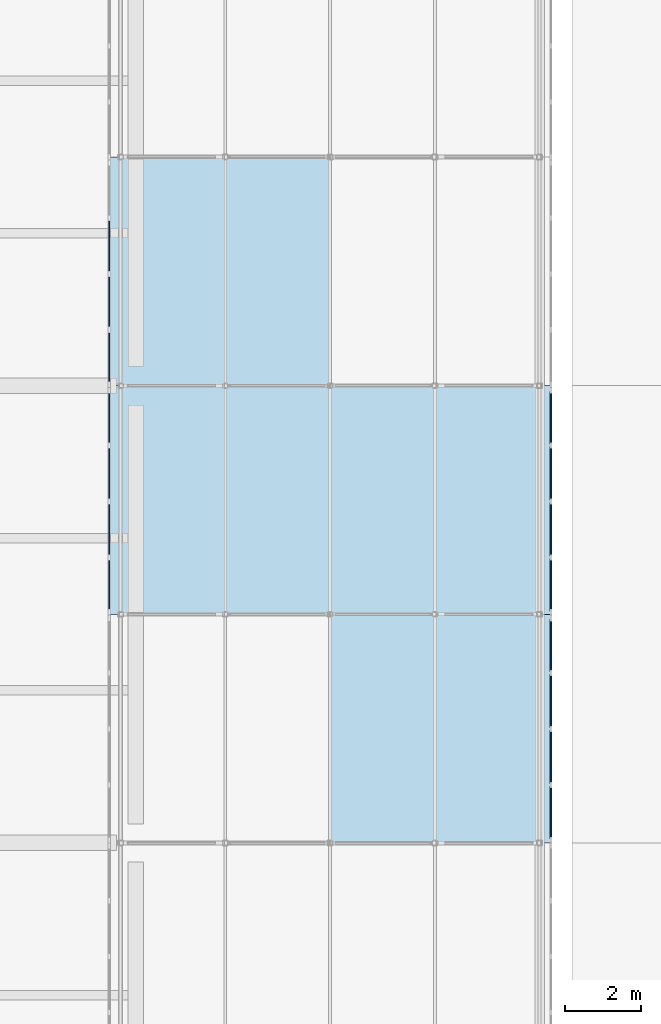
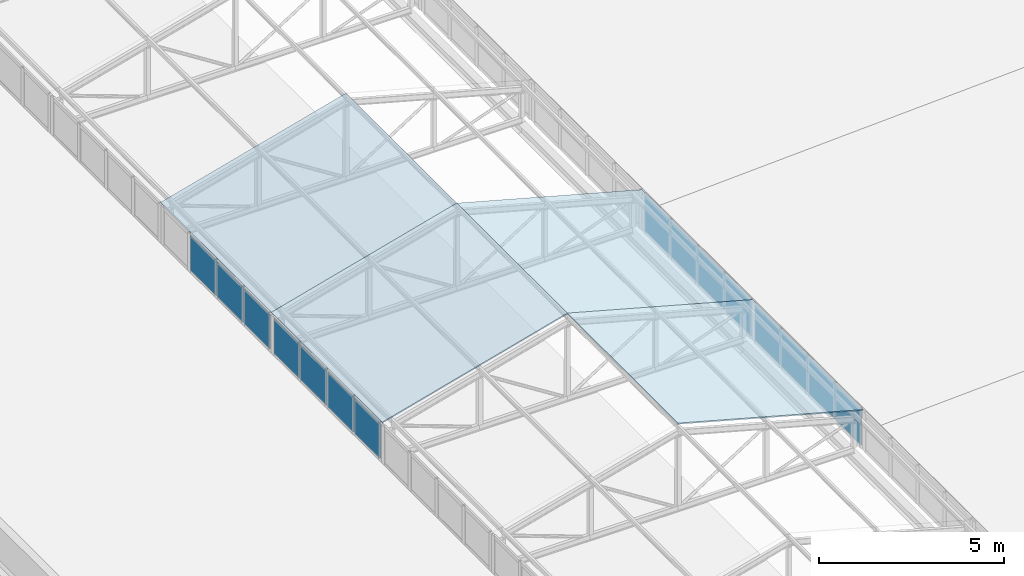
# One storey, part 80 of 94: 15 plates, 4 slabs, 4 elements without a shape of their own.
"""IFC4 building model written with IfcOpenShell, lengths in metres."""

import ifcopenshell
import ifcopenshell.guid

model = None  # the IFC model being written
_history = None  # IfcOwnerHistory: only IFC2X3 demands one
_inside = {}  # id of a spatial element -> (the spatial element, [elements in it])
_under = {}  # id of a project, library or spatial element -> (it, [spatial elements below it])
_declared = {}  # id of a project -> (the project, [libraries it declares])
_typed = {}  # id of a type object -> (the type object, [elements of that type])
_made_of = {}  # id of a material, layer set ... -> (it, [elements and type objects made of it])


def new_model(schema):
    """Start an empty IFC model of exactly this schema.

    Asked for "IFC4X3", IfcOpenShell would pick the latest addendum, in which some entities
    have other attributes; the version numbers below select the first issue.
    IFC2X3 requires an IfcOwnerHistory on every rooted entity: one is made here for all.
    """
    global model, _history
    if schema == "IFC4X3":
        model = ifcopenshell.file(schema_version=(4, 3, 0, 0))
    else:
        model = ifcopenshell.file(schema=schema)
    _inside.clear()
    _under.clear()
    _declared.clear()
    _typed.clear()
    _made_of.clear()
    _history = None
    if model.schema == "IFC2X3":
        org = make("IfcOrganization", Name="unknown")
        user = make(
            "IfcPersonAndOrganization",
            ThePerson=make("IfcPerson", FamilyName="unknown"),
            TheOrganization=org,
        )
        app = make(
            "IfcApplication",
            ApplicationDeveloper=org,
            Version="unknown",
            ApplicationFullName="unknown",
            ApplicationIdentifier="unknown",
        )
        _history = make(
            "IfcOwnerHistory",
            OwningUser=user,
            OwningApplication=app,
            ChangeAction="ADDED",
            CreationDate=0,
        )
    return model


def make(cls, **values):
    """One entity of the class cls with the attributes given. An attribute that is None is left unset."""
    return model.create_entity(
        cls, **{name: value for name, value in values.items() if value is not None}
    )


def rooted(cls, **values):
    """An entity with a GlobalId (a new one), such as an element, a storey or a relation."""
    return make(cls, GlobalId=ifcopenshell.guid.new(), OwnerHistory=_history, **values)


def si_unit(unit_type, name, prefix=None):
    """IfcSIUnit, for example si_unit("LENGTHUNIT", "METRE", prefix="MILLI")."""
    return make("IfcSIUnit", UnitType=unit_type, Prefix=prefix, Name=name)


def assignment(units):
    """IfcUnitAssignment: the units of a project."""
    return None if units is None else make("IfcUnitAssignment", Units=units)


def point(xyz):
    """IfcCartesianPoint."""
    return None if xyz is None else make("IfcCartesianPoint", Coordinates=xyz)


def direction(xyz):
    """IfcDirection."""
    return None if xyz is None else make("IfcDirection", DirectionRatios=xyz)


def frame(location, z_axis=None, x_axis=None):
    """IfcAxis2Placement3D, a coordinate frame: its origin and axes. An axis left out is left unset."""
    return make(
        "IfcAxis2Placement3D",
        Location=point(location),
        Axis=direction(z_axis),
        RefDirection=direction(x_axis),
    )


def frame_2d(location, x_axis=None):
    """IfcAxis2Placement2D, a coordinate frame in the plane: its origin and x axis."""
    return make(
        "IfcAxis2Placement2D", Location=point(location), RefDirection=direction(x_axis)
    )


def origin():
    """The frame at (0, 0, 0) with its axes left unset."""
    return frame((0.0, 0.0, 0.0))


def origin_2d():
    """The frame at (0, 0) in the plane with its x axis left unset."""
    return frame_2d((0.0, 0.0))


def place(relative_to, where):
    """IfcLocalPlacement: puts the frame where relative to a parent placement (None: the world)."""
    return make(
        "IfcLocalPlacement", PlacementRelTo=relative_to, RelativePlacement=where
    )


def context(
    kind, dimensions, precision=None, world=None, true_north=None, identifier=None
):
    """IfcGeometricRepresentationContext, for example the 3D "Model" context."""
    return make(
        "IfcGeometricRepresentationContext",
        ContextIdentifier=identifier,
        ContextType=kind,
        CoordinateSpaceDimension=dimensions,
        Precision=precision,
        WorldCoordinateSystem=world,
        TrueNorth=true_north,
    )


def subcontext(parent, identifier, kind, view, scale=None):
    """IfcGeometricRepresentationSubContext, for example "Body" below "Model"."""
    return make(
        "IfcGeometricRepresentationSubContext",
        ContextIdentifier=identifier,
        ContextType=kind,
        ParentContext=parent,
        TargetScale=scale,
        TargetView=view,
    )


def project(units=None, contexts=None):
    """IfcProject with its units and contexts."""
    return rooted(
        "IfcProject",
        Name="project",
        RepresentationContexts=contexts,
        UnitsInContext=assignment(units),
    )


def spatial(cls, under=None, at=None, **own):
    """A site, building, storey or space (cls), placed at a placement, below another one or the project."""
    s = rooted(cls, ObjectPlacement=at, **own)
    if under is not None:
        _under.setdefault(under.id(), (under, []))[1].append(s)
    return s


def polyline(points):
    """IfcPolyline through the points."""
    return make("IfcPolyline", Points=[point(p) for p in points])


def profile(cls, at=None, kind="AREA", **sizes):
    """A parametric profile (cls). Its sizes go by their IFC names, for example OverallWidth=200.0."""
    return make(cls, ProfileType=kind, Position=at, **sizes)


def rectangle(**sizes):
    """IfcRectangleProfileDef."""
    return profile("IfcRectangleProfileDef", **sizes)


def outline(outer, holes=None, kind="AREA"):
    """IfcArbitraryClosedProfileDef: a profile drawn as a closed curve; with holes, ...WithVoids."""
    if holes is None:
        return make("IfcArbitraryClosedProfileDef", ProfileType=kind, OuterCurve=outer)
    return make(
        "IfcArbitraryProfileDefWithVoids",
        ProfileType=kind,
        OuterCurve=outer,
        InnerCurves=holes,
    )


def extrude(swept, where, along, depth):
    """IfcExtrudedAreaSolid: the profile swept, set in the frame where, extruded along a direction by depth."""
    return make(
        "IfcExtrudedAreaSolid",
        SweptArea=swept,
        Position=where,
        ExtrudedDirection=direction(along),
        Depth=depth,
    )


def shape(context_of_items, identifier, shape_type, items):
    """IfcShapeRepresentation: the items that make up one representation, for example the "Body"."""
    return make(
        "IfcShapeRepresentation",
        ContextOfItems=context_of_items,
        RepresentationIdentifier=identifier,
        RepresentationType=shape_type,
        Items=items,
    )


def material(Name=None, Category=None):
    """IfcMaterial."""
    return make("IfcMaterial", Name=Name, Category=Category)


def layer(
    of_material, thickness, ventilated=None, Name=None, Category=None, Priority=None
):
    """IfcMaterialLayer: one layer of a wall or slab, of a material (None: an air gap)."""
    return make(
        "IfcMaterialLayer",
        Material=of_material,
        LayerThickness=thickness,
        IsVentilated=ventilated,
        Name=Name,
        Category=Category,
        Priority=Priority,
    )


def layer_set(layers, Name=None):
    """IfcMaterialLayerSet."""
    return make("IfcMaterialLayerSet", MaterialLayers=layers, LayerSetName=Name)


def made_of(thing, what):
    """Note that an element or type object is made of a material, layer set ...; save() writes the relation."""
    if what is not None:
        _made_of.setdefault(what.id(), (what, []))[1].append(thing)
    return thing


def type_object(cls, material=None, **own):
    """A type object (cls), such as IfcWallType, which elements share."""
    return made_of(rooted(cls, **own), material)


def element(
    cls,
    number,
    at=None,
    inside=None,
    cuts=None,
    type_object=None,
    material=None,
    context=None,
    identifier="Body",
    shape_type=None,
    held_by="IfcProductDefinitionShape",
    body=None,
    shapes=None,
    **own,
):
    """One element of the class cls, such as IfcWall. Its Tag is "e" and its number.

    at: its placement. inside: the storey or other place that contains it. cuts: it is an
    opening in that element (IfcRelVoidsElement). A single representation is given by context,
    identifier, shape_type and body (its items); several are given by shapes. held_by: the class
    of the entity that holds the representations. save() writes the other relations.
    """
    e = rooted(cls, Tag="e%d" % number, ObjectPlacement=at, **own)
    if body is not None:
        shapes = [shape(context, identifier, shape_type, body)]
    if shapes is not None:
        e.Representation = make(held_by, Representations=shapes)
    if inside is not None:
        _inside.setdefault(inside.id(), (inside, []))[1].append(e)
    if cuts is not None:
        rooted(
            "IfcRelVoidsElement", RelatingBuildingElement=cuts, RelatedOpeningElement=e
        )
    if type_object is not None:
        _typed.setdefault(type_object.id(), (type_object, []))[1].append(e)
    return made_of(e, material)


def aggregate(whole, parts):
    """IfcRelAggregates: a whole, such as a stair, and the parts it consists of."""
    return rooted("IfcRelAggregates", RelatingObject=whole, RelatedObjects=parts)


def save(model, path):
    """Write the relations noted so far, then the file.

    IfcRelAggregates (storeys below a building ...), IfcRelContainedInSpatialStructure (elements
    in a storey), IfcRelDefinesByType, IfcRelAssociatesMaterial and IfcRelDeclares: one each for
    every whole, place, type object, material and project.
    """
    for whole, parts in _under.values():
        aggregate(whole, parts)
    for where, things in _inside.values():
        rooted(
            "IfcRelContainedInSpatialStructure",
            RelatedElements=things,
            RelatingStructure=where,
        )
    for kind, things in _typed.values():
        rooted("IfcRelDefinesByType", RelatedObjects=things, RelatingType=kind)
    for what, things in _made_of.values():
        rooted("IfcRelAssociatesMaterial", RelatedObjects=things, RelatingMaterial=what)
    for by, libraries in _declared.values():
        rooted("IfcRelDeclares", RelatingContext=by, RelatedDefinitions=libraries)
    model.write(path)


model = new_model("IFC4")

# Units and contexts
model_context = context("Model", 3, precision=1e-05, world=origin(), true_north=direction((0.0, 1.0)))
body_context = subcontext(model_context, "Body", "Model", "MODEL_VIEW")
ifc_project = project(units=[si_unit("LENGTHUNIT", "METRE"), si_unit("AREAUNIT", "SQUARE_METRE"), si_unit("VOLUMEUNIT", "CUBIC_METRE"), si_unit("PLANEANGLEUNIT", "RADIAN"), si_unit("MASSUNIT", "GRAM", prefix="KILO")], contexts=[model_context])

# Site, building, storey
site_placement = place(None, origin())
site = spatial("IfcSite", under=ifc_project, at=site_placement, CompositionType="ELEMENT")
building_placement = place(site_placement, origin())
building = spatial("IfcBuilding", under=site, at=building_placement, Name="Lilac Gate Convention Centre", CompositionType="ELEMENT")
storey_placement = place(building_placement, frame((0.0, 0.0, 21.0)))
storey = spatial("IfcBuildingStorey", under=building, at=storey_placement, Name="L04", CompositionType="ELEMENT", Elevation=21.0)

# Curtain wall, plates
ifc_material_1 = material(Name="Aluminium framed double glazing", Category="aluminium")
ifc_layer_1 = layer(ifc_material_1, 0.199951171875)
ifc_layer_set_1 = layer_set([ifc_layer_1], Name="Aluminium framed double glazing")
curtain_wall_type = type_object("IfcCurtainWallType", Name="Unitised curtain wall 1500", PredefinedType="NOTDEFINED", material=ifc_layer_set_1)
curtain_wall_1_placement = place(storey_placement, origin())
curtain_wall_1 = element("IfcCurtainWall", 1, at=curtain_wall_1_placement, inside=storey, type_object=curtain_wall_type, Name="Lantern clerestory W 18", PredefinedType="NOTDEFINED")
ifc_material_2 = material(Name="Double glazed unit low emissivity")
ifc_layer_2 = layer(ifc_material_2, 0.028076171875)
ifc_layer_set_2 = layer_set([ifc_layer_2], Name="Double glazed unit low emissivity")
plate_type = type_object("IfcPlateType", Name="Curtain wall glass panel 28", PredefinedType="CURTAIN_PANEL", material=ifc_layer_set_2)
plate_1_placement = place(storey_placement, frame((17.300048828125, 132.774169921875, 0.06005859375), z_axis=(0.0, 0.0, 1.0), x_axis=(0.0, 1.0, 0.0)))
plate_1 = element("IfcPlate", 2, at=plate_1_placement, type_object=plate_type, Name="CW panel 1.1", PredefinedType="CURTAIN_PANEL", context=body_context, shape_type="SweptSolid", body=[
    extrude(rectangle(XDim=1.378662109375, YDim=0.028076171875, at=origin_2d()), origin(), (0.0, 0.0, 1.0), 1.152099609375),
])
plate_2_placement = place(storey_placement, frame((17.300048828125, 134.22802734375, 0.06005859375), z_axis=(0.0, 0.0, 1.0), x_axis=(0.0, 1.0, 0.0)))
plate_2 = element("IfcPlate", 3, at=plate_2_placement, type_object=plate_type, Name="CW panel 2.1", PredefinedType="CURTAIN_PANEL", context=body_context, shape_type="SweptSolid", body=[
    extrude(rectangle(XDim=1.40869140625, YDim=0.028076171875, at=origin_2d()), origin(), (0.0, 0.0, 1.0), 1.152099609375),
])
plate_3_placement = place(storey_placement, frame((17.300048828125, 135.69677734375, 0.06005859375), z_axis=(0.0, 0.0, 1.0), x_axis=(0.0, 1.0, 0.0)))
plate_3 = element("IfcPlate", 4, at=plate_3_placement, type_object=plate_type, Name="CW panel 3.1", PredefinedType="CURTAIN_PANEL", context=body_context, shape_type="SweptSolid", body=[
    extrude(rectangle(XDim=1.40869140625, YDim=0.028076171875, at=origin_2d()), origin(), (0.0, 0.0, 1.0), 1.152099609375),
])
plate_4_placement = place(storey_placement, frame((17.300048828125, 137.150634765625, 0.06005859375), z_axis=(0.0, 0.0, 1.0), x_axis=(0.0, 1.0, 0.0)))
plate_4 = element("IfcPlate", 5, at=plate_4_placement, type_object=plate_type, Name="CW panel 4.1", PredefinedType="CURTAIN_PANEL", context=body_context, shape_type="SweptSolid", body=[
    extrude(rectangle(XDim=1.378662109375, YDim=0.028076171875, at=origin_2d()), origin(), (0.0, 0.0, 1.0), 1.152099609375),
])
aggregate(curtain_wall_1, [plate_1, plate_2, plate_3, plate_4])

curtain_wall_2_placement = place(storey_placement, origin())
curtain_wall_2 = element("IfcCurtainWall", 6, at=curtain_wall_2_placement, inside=storey, type_object=curtain_wall_type, Name="Lantern clerestory W 19", PredefinedType="NOTDEFINED")
plate_5_placement = place(storey_placement, frame((17.300048828125, 138.749267578125, 0.06005859375), z_axis=(0.0, 0.0, 1.0), x_axis=(0.0, 1.0, 0.0)))
plate_5 = element("IfcPlate", 7, at=plate_5_placement, type_object=plate_type, Name="CW panel 1.1", PredefinedType="CURTAIN_PANEL", context=body_context, shape_type="SweptSolid", body=[
    extrude(rectangle(XDim=1.378662109375, YDim=0.028076171875, at=origin_2d()), origin(), (0.0, 0.0, 1.0), 1.152099609375),
])
plate_6_placement = place(storey_placement, frame((17.300048828125, 140.203125, 0.06005859375), z_axis=(0.0, 0.0, 1.0), x_axis=(0.0, 1.0, 0.0)))
plate_6 = element("IfcPlate", 8, at=plate_6_placement, type_object=plate_type, Name="CW panel 2.1", PredefinedType="CURTAIN_PANEL", context=body_context, shape_type="SweptSolid", body=[
    extrude(rectangle(XDim=1.40869140625, YDim=0.028076171875, at=origin_2d()), origin(), (0.0, 0.0, 1.0), 1.152099609375),
])
plate_7_placement = place(storey_placement, frame((17.300048828125, 141.671875, 0.06005859375), z_axis=(0.0, 0.0, 1.0), x_axis=(0.0, 1.0, 0.0)))
plate_7 = element("IfcPlate", 9, at=plate_7_placement, type_object=plate_type, Name="CW panel 3.1", PredefinedType="CURTAIN_PANEL", context=body_context, shape_type="SweptSolid", body=[
    extrude(rectangle(XDim=1.40869140625, YDim=0.028076171875, at=origin_2d()), origin(), (0.0, 0.0, 1.0), 1.152099609375),
])
aggregate(curtain_wall_2, [plate_5, plate_6, plate_7])

curtain_wall_3_placement = place(storey_placement, origin())
curtain_wall_3 = element("IfcCurtainWall", 10, at=curtain_wall_3_placement, inside=storey, type_object=curtain_wall_type, Name="Lantern clerestory E 17", PredefinedType="NOTDEFINED")
plate_8_placement = place(storey_placement, frame((28.89990234375, 126.79931640625, 0.06005859375), z_axis=(0.0, 0.0, 1.0), x_axis=(0.0, 1.0, 0.0)))
plate_8 = element("IfcPlate", 11, at=plate_8_placement, type_object=plate_type, Name="CW panel 1.1", PredefinedType="CURTAIN_PANEL", context=body_context, shape_type="SweptSolid", body=[
    extrude(rectangle(XDim=1.378662109375, YDim=0.028076171875, at=origin_2d()), origin(), (0.0, 0.0, 1.0), 1.152099609375),
])
plate_9_placement = place(storey_placement, frame((28.89990234375, 128.253173828125, 0.06005859375), z_axis=(0.0, 0.0, 1.0), x_axis=(0.0, 1.0, 0.0)))
plate_9 = element("IfcPlate", 12, at=plate_9_placement, type_object=plate_type, Name="CW panel 2.1", PredefinedType="CURTAIN_PANEL", context=body_context, shape_type="SweptSolid", body=[
    extrude(rectangle(XDim=1.40869140625, YDim=0.028076171875, at=origin_2d()), origin(), (0.0, 0.0, 1.0), 1.152099609375),
])
plate_10_placement = place(storey_placement, frame((28.89990234375, 129.721923828125, 0.06005859375), z_axis=(0.0, 0.0, 1.0), x_axis=(0.0, 1.0, 0.0)))
plate_10 = element("IfcPlate", 13, at=plate_10_placement, type_object=plate_type, Name="CW panel 3.1", PredefinedType="CURTAIN_PANEL", context=body_context, shape_type="SweptSolid", body=[
    extrude(rectangle(XDim=1.40869140625, YDim=0.028076171875, at=origin_2d()), origin(), (0.0, 0.0, 1.0), 1.152099609375),
])
plate_11_placement = place(storey_placement, frame((28.89990234375, 131.17578125, 0.06005859375), z_axis=(0.0, 0.0, 1.0), x_axis=(0.0, 1.0, 0.0)))
plate_11 = element("IfcPlate", 14, at=plate_11_placement, type_object=plate_type, Name="CW panel 4.1", PredefinedType="CURTAIN_PANEL", context=body_context, shape_type="SweptSolid", body=[
    extrude(rectangle(XDim=1.378662109375, YDim=0.028076171875, at=origin_2d()), origin(), (0.0, 0.0, 1.0), 1.152099609375),
])
aggregate(curtain_wall_3, [plate_8, plate_9, plate_10, plate_11])

curtain_wall_4_placement = place(storey_placement, origin())
curtain_wall_4 = element("IfcCurtainWall", 15, at=curtain_wall_4_placement, inside=storey, type_object=curtain_wall_type, Name="Lantern clerestory E 18", PredefinedType="NOTDEFINED")
plate_12_placement = place(storey_placement, frame((28.89990234375, 132.774169921875, 0.06005859375), z_axis=(0.0, 0.0, 1.0), x_axis=(0.0, 1.0, 0.0)))
plate_12 = element("IfcPlate", 16, at=plate_12_placement, type_object=plate_type, Name="CW panel 1.1", PredefinedType="CURTAIN_PANEL", context=body_context, shape_type="SweptSolid", body=[
    extrude(rectangle(XDim=1.378662109375, YDim=0.028076171875, at=origin_2d()), origin(), (0.0, 0.0, 1.0), 1.152099609375),
])
plate_13_placement = place(storey_placement, frame((28.89990234375, 134.22802734375, 0.06005859375), z_axis=(0.0, 0.0, 1.0), x_axis=(0.0, 1.0, 0.0)))
plate_13 = element("IfcPlate", 17, at=plate_13_placement, type_object=plate_type, Name="CW panel 2.1", PredefinedType="CURTAIN_PANEL", context=body_context, shape_type="SweptSolid", body=[
    extrude(rectangle(XDim=1.40869140625, YDim=0.028076171875, at=origin_2d()), origin(), (0.0, 0.0, 1.0), 1.152099609375),
])
plate_14_placement = place(storey_placement, frame((28.89990234375, 135.69677734375, 0.06005859375), z_axis=(0.0, 0.0, 1.0), x_axis=(0.0, 1.0, 0.0)))
plate_14 = element("IfcPlate", 18, at=plate_14_placement, type_object=plate_type, Name="CW panel 3.1", PredefinedType="CURTAIN_PANEL", context=body_context, shape_type="SweptSolid", body=[
    extrude(rectangle(XDim=1.40869140625, YDim=0.028076171875, at=origin_2d()), origin(), (0.0, 0.0, 1.0), 1.152099609375),
])
plate_15_placement = place(storey_placement, frame((28.89990234375, 137.150634765625, 0.06005859375), z_axis=(0.0, 0.0, 1.0), x_axis=(0.0, 1.0, 0.0)))
plate_15 = element("IfcPlate", 19, at=plate_15_placement, type_object=plate_type, Name="CW panel 4.1", PredefinedType="CURTAIN_PANEL", context=body_context, shape_type="SweptSolid", body=[
    extrude(rectangle(XDim=1.378662109375, YDim=0.028076171875, at=origin_2d()), origin(), (0.0, 0.0, 1.0), 1.152099609375),
])
aggregate(curtain_wall_4, [plate_12, plate_13, plate_14, plate_15])

# Slabs
ifc_material_3 = material(Name="Low emissivity safety glass, bonded interlayer", Category="glass")
ifc_layer_3 = layer(ifc_material_3, 0.0400390625)
ifc_layer_set_3 = layer_set([ifc_layer_3], Name="Low emissivity safety glass, bonded interlayer")
slab_type = type_object("IfcSlabType", Name="Lantern glazing panel 40", PredefinedType="ROOF", material=ifc_layer_set_3)
slab_1_placement = place(storey_placement, frame((23.10009765625, 126.0, 2.8955078125), z_axis=(0.263120842134, 0.0, 0.964762884047), x_axis=(0.964762884047, 0.0, -0.263120842134)))
element("IfcSlab", 20, at=slab_1_placement, inside=storey, type_object=slab_type, Name="Lantern glazing E 17", PredefinedType="ROOF", context=body_context, shape_type="SweptSolid", body=[
    extrude(outline(polyline([(0.0, 0.0), (6.011637453517294, 0.0), (6.011637453517294, 6.0), (0.0, 6.0), (0.0, 0.0)])), origin(), (0.0, 0.0, -1.0), 0.0400390625),
])
slab_2_placement = place(storey_placement, frame((17.300048828125, 132.0, 1.313720703125), z_axis=(-0.263110533367, 0.0, 0.964765695509), x_axis=(0.964765695509, 0.0, 0.263110533367)))
element("IfcSlab", 21, at=slab_2_placement, inside=storey, type_object=slab_type, Name="Lantern glazing W 18", PredefinedType="ROOF", context=body_context, shape_type="SweptSolid", body=[
    extrude(outline(polyline([(0.0, 0.0), (6.011872991673984, 0.0), (6.011872991673984, 5.999999999999999), (0.0, 5.999999999999999), (0.0, 0.0)])), origin(), (0.0, 0.0, -1.0), 0.0400390625),
])
slab_3_placement = place(storey_placement, frame((23.10009765625, 132.0, 2.8955078125), z_axis=(0.263120842134, 0.0, 0.964762884047), x_axis=(0.964762884047, 0.0, -0.263120842134)))
element("IfcSlab", 22, at=slab_3_placement, inside=storey, type_object=slab_type, Name="Lantern glazing E 18", PredefinedType="ROOF", context=body_context, shape_type="SweptSolid", body=[
    extrude(outline(polyline([(0.0, 0.0), (6.011637453517294, 0.0), (6.011637453517294, 6.0), (0.0, 6.0), (0.0, 0.0)])), origin(), (0.0, 0.0, -1.0), 0.0400390625),
])
slab_4_placement = place(storey_placement, frame((17.300048828125, 138.0, 1.313720703125), z_axis=(-0.263110533367, 0.0, 0.964765695509), x_axis=(0.964765695509, 0.0, 0.263110533367)))
element("IfcSlab", 23, at=slab_4_placement, inside=storey, type_object=slab_type, Name="Lantern glazing W 19", PredefinedType="ROOF", context=body_context, shape_type="SweptSolid", body=[
    extrude(outline(polyline([(0.0, 0.0), (6.011872991673984, 0.0), (6.011872991673984, 5.999999999999999), (0.0, 5.999999999999999), (0.0, 0.0)])), origin(), (0.0, 0.0, -1.0), 0.0400390625),
])

save(model, "model.ifc")
